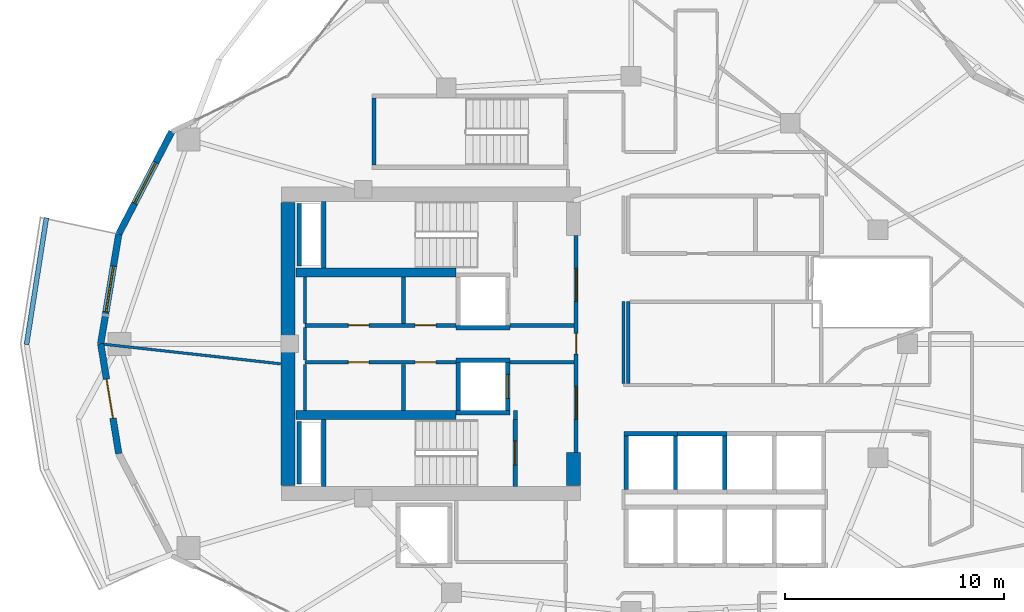
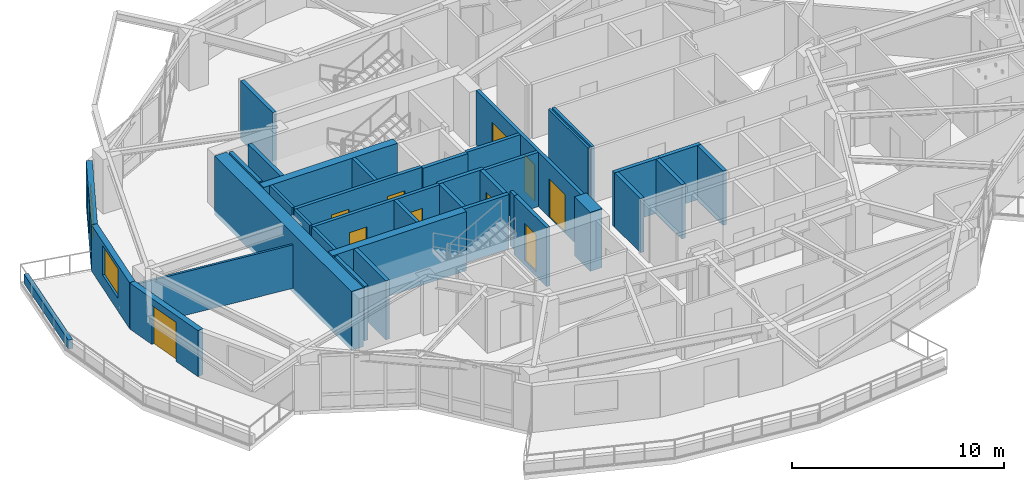
# One storey, part 8 of 18: 38 walls, 10 doors, 2 windows, 12 openings.
"""IFC4 building model written with IfcOpenShell, lengths in metres."""

from ifc_helpers import new_model, si_unit, direction, frame, frame_2d, origin, place, context, subcontext, project, spatial, rectangle, extrude, material, layer, layer_set, type_object, element, fill, save


model = new_model("IFC4")

# Units and contexts
model_context = context("Model", 3, precision=1e-05, world=origin(), true_north=direction((0.0, 1.0)))
body_context = subcontext(model_context, "Body", "Model", "MODEL_VIEW")
ifc_project = project(units=[si_unit("LENGTHUNIT", "METRE"), si_unit("AREAUNIT", "SQUARE_METRE"), si_unit("VOLUMEUNIT", "CUBIC_METRE"), si_unit("PLANEANGLEUNIT", "RADIAN"), si_unit("MASSUNIT", "GRAM", prefix="KILO")], contexts=[model_context])

# Site, building, storey
site_placement = place(None, origin())
site = spatial("IfcSite", under=ifc_project, at=site_placement, CompositionType="ELEMENT")
building_placement = place(site_placement, origin())
building = spatial("IfcBuilding", under=site, at=building_placement, Name="Kolvaren Gate Tower and Convention Centre", CompositionType="ELEMENT")
storey_placement = place(building_placement, frame((0.0, 0.0, 115.5)))
storey = spatial("IfcBuildingStorey", under=building, at=storey_placement, Name="L28", CompositionType="ELEMENT", Elevation=115.5)

# Wall
ifc_material_1 = material(Name="Autoclaved Aerated Masonry Blockwork Class 4 (4.0 MPa)", Category="masonry")
ifc_layer_1 = layer(ifc_material_1, 0.179931640625)
ifc_layer_set_1 = layer_set([ifc_layer_1], Name="Autoclaved Aerated Masonry Blockwork Class 4 (4.0 MPa)")
wall_type_1 = type_object("IfcWallType", Name="ARCH-WL-COMP-180", PredefinedType="SOLIDWALL", material=ifc_layer_set_1)
wall_1_placement = place(storey_placement, frame((24.85009765625, 23.5400390625, 0.0), z_axis=(0.0, 0.0, 1.0), x_axis=(0.0, 1.0, 0.0)))
element("IfcWall", 1, at=wall_1_placement, inside=storey, type_object=wall_type_1, Name="Interior Partition WL-L28-INT-001", PredefinedType="SOLIDWALL", context=body_context, shape_type="SweptSolid", body=[
    extrude(rectangle(XDim=0.419921875, YDim=0.179931640625, at=frame_2d((0.2099609375, 0.0))), origin(), (0.0, 0.0, 1.0), 3.1298828125),
])

# Wall, openings, doors
wall_2_placement = place(storey_placement, frame((27.6201171875, 22.050048828125, 0.0), z_axis=(0.0, 0.0, 1.0), x_axis=(0.0, 1.0, 0.0)))
wall_2 = element("IfcWall", 2, at=wall_2_placement, inside=storey, type_object=wall_type_1, Name="Interior Partition WL-L28-INT-003", PredefinedType="SOLIDWALL", context=body_context, shape_type="SweptSolid", body=[
    extrude(rectangle(XDim=9.89990234375, YDim=0.179931640625, at=frame_2d((4.949951171875, 0.0))), origin(), (0.0, 0.0, 1.0), 3.1298828125),
])
opening_1_placement = place(wall_2_placement, frame((4.47509765625, 0.0, 0.0)))
opening_1 = element("IfcOpeningElement", 3, at=opening_1_placement, cuts=wall_2, Name="Opening DR-01", PredefinedType="OPENING", context=body_context, shape_type="SweptSolid", body=[
    extrude(rectangle(XDim=0.949951171875, YDim=2.10009765625, at=frame_2d((0.47509765625, 1.050048828125))), frame((0.0, 0.099853515625, 0.0), z_axis=(0.0, -1.0, 0.0), x_axis=(1.0, 0.0, 0.0)), (0.0, 0.0, 1.0), 0.199951171875),
])
opening_2_placement = place(wall_2_placement, frame((6.889892578125, 0.0, 0.0)))
opening_2 = element("IfcOpeningElement", 4, at=opening_2_placement, cuts=wall_2, Name="Opening DL-01", PredefinedType="OPENING", context=body_context, shape_type="SweptSolid", body=[
    extrude(rectangle(XDim=1.5, YDim=2.199951171875, at=frame_2d((0.75, 1.10009765625))), frame((0.0, 0.099853515625, 0.0), z_axis=(0.0, -1.0, 0.0), x_axis=(1.0, 0.0, 0.0)), (0.0, 0.0, 1.0), 0.199951171875),
])
opening_3_placement = place(wall_2_placement, frame((1.510009765625, 0.0, 0.0)))
opening_3 = element("IfcOpeningElement", 5, at=opening_3_placement, cuts=wall_2, Name="Opening DL-01", PredefinedType="OPENING", context=body_context, shape_type="SweptSolid", body=[
    extrude(rectangle(XDim=1.5, YDim=2.199951171875, at=frame_2d((0.75, 1.10009765625))), frame((0.0, 0.099853515625, 0.0), z_axis=(0.0, -1.0, 0.0), x_axis=(1.0, 0.0, 0.0)), (0.0, 0.0, 1.0), 0.199951171875),
])
ifc_material_2 = material(Name="Painted Architectural Steelwork ASTM A500 Grade C 345 MPa", Category="steel")
door_type_1 = type_object("IfcDoorType", Name="ARCH-DR-LOBBY-1500", OperationType="DOUBLE_DOOR_SINGLE_SWING", PredefinedType="DOOR", material=ifc_material_2)
door_1_placement = place(opening_2_placement, origin())
door_1 = element("IfcDoor", 6, at=door_1_placement, inside=storey, type_object=door_type_1, Name="North Firefighting Stair and Lift Lobby Door", OperationType="DOUBLE_DOOR_SINGLE_SWING", OverallHeight=2.199951171875, OverallWidth=1.5, PredefinedType="DOOR", context=body_context, shape_type="SweptSolid", body=[
    extrude(rectangle(XDim=1.5, YDim=2.199951171875, at=frame_2d((0.75, 1.10009765625))), frame((0.0, 0.02490234375, 0.0), z_axis=(0.0, -1.0, 0.0), x_axis=(1.0, 0.0, 0.0)), (0.0, 0.0, 1.0), 0.050048828125),
])
fill(opening_2, door_1)
door_2_placement = place(opening_3_placement, origin())
door_2 = element("IfcDoor", 7, at=door_2_placement, inside=storey, type_object=door_type_1, Name="South Firefighting Stair and Lift Lobby Door", OperationType="DOUBLE_DOOR_SINGLE_SWING", OverallHeight=2.199951171875, OverallWidth=1.5, PredefinedType="DOOR", context=body_context, shape_type="SweptSolid", body=[
    extrude(rectangle(XDim=1.5, YDim=2.199951171875, at=frame_2d((0.75, 1.10009765625))), frame((0.0, 0.02490234375, 0.0), z_axis=(0.0, -1.0, 0.0), x_axis=(1.0, 0.0, 0.0)), (0.0, 0.0, 1.0), 0.050048828125),
])
fill(opening_3, door_2)
door_type_2 = type_object("IfcDoorType", Name="ARCH-DR-RISER-950", OperationType="SINGLE_SWING_RIGHT", PredefinedType="DOOR", material=ifc_material_2)
door_3_placement = place(opening_1_placement, origin())
door_3 = element("IfcDoor", 8, at=door_3_placement, inside=storey, type_object=door_type_2, Name="Central MEP Service Corridor Door", OperationType="SINGLE_SWING_RIGHT", OverallHeight=2.10009765625, OverallWidth=0.949951171875, PredefinedType="DOOR", context=body_context, shape_type="SweptSolid", body=[
    extrude(rectangle(XDim=0.949951171875, YDim=2.10009765625, at=frame_2d((0.47509765625, 1.050048828125))), frame((0.0, 0.02490234375, 0.0), z_axis=(0.0, -1.0, 0.0), x_axis=(1.0, 0.0, 0.0)), (0.0, 0.0, 1.0), 0.050048828125),
])
fill(opening_1, door_3)

wall_3_placement = place(storey_placement, frame((15.25, 27.840087890625, 0.0), z_axis=(0.0, 0.0, 1.0), x_axis=(1.0, 0.0, 0.0)))
wall_3 = element("IfcWall", 9, at=wall_3_placement, inside=storey, type_object=wall_type_1, Name="Interior Partition WL-L28-INT-004", PredefinedType="SOLIDWALL", context=body_context, shape_type="SweptSolid", body=[
    extrude(rectangle(XDim=6.89990234375, YDim=0.179931640625, at=frame_2d((3.449951171875, 0.0))), origin(), (0.0, 0.0, 1.0), 3.1298828125),
])
opening_4_placement = place(wall_3_placement, frame((5.02001953125, 0.0, 0.0)))
opening_4 = element("IfcOpeningElement", 10, at=opening_4_placement, cuts=wall_3, Name="Opening DR-01", PredefinedType="OPENING", context=body_context, shape_type="SweptSolid", body=[
    extrude(rectangle(XDim=0.949951171875, YDim=2.10009765625, at=frame_2d((0.47509765625, 1.050048828125))), frame((0.0, 0.099853515625, 0.0), z_axis=(0.0, -1.0, 0.0), x_axis=(1.0, 0.0, 0.0)), (0.0, 0.0, 1.0), 0.199951171875),
])
opening_5_placement = place(wall_3_placement, frame((1.97998046875, 0.0, 0.0)))
opening_5 = element("IfcOpeningElement", 11, at=opening_5_placement, cuts=wall_3, Name="Opening DR-01", PredefinedType="OPENING", context=body_context, shape_type="SweptSolid", body=[
    extrude(rectangle(XDim=0.949951171875, YDim=2.10009765625, at=frame_2d((0.47509765625, 1.050048828125))), frame((0.0, 0.099853515625, 0.0), z_axis=(0.0, -1.0, 0.0), x_axis=(1.0, 0.0, 0.0)), (0.0, 0.0, 1.0), 0.199951171875),
])
door_4_placement = place(opening_4_placement, origin())
door_4 = element("IfcDoor", 12, at=door_4_placement, inside=storey, type_object=door_type_2, Name="Electrical Switchgear Closet Door", OperationType="SINGLE_SWING_LEFT", OverallHeight=2.10009765625, OverallWidth=0.949951171875, PredefinedType="DOOR", context=body_context, shape_type="SweptSolid", body=[
    extrude(rectangle(XDim=0.949951171875, YDim=2.10009765625, at=frame_2d((0.47509765625, 1.050048828125))), frame((0.0, 0.02490234375, 0.0), z_axis=(0.0, -1.0, 0.0), x_axis=(1.0, 0.0, 0.0)), (0.0, 0.0, 1.0), 0.050048828125),
])
fill(opening_4, door_4)
door_5_placement = place(opening_5_placement, origin())
door_5 = element("IfcDoor", 13, at=door_5_placement, inside=storey, type_object=door_type_2, Name="Staff Powder Washroom Door", OperationType="SINGLE_SWING_LEFT", OverallHeight=2.10009765625, OverallWidth=0.949951171875, PredefinedType="DOOR", context=body_context, shape_type="SweptSolid", body=[
    extrude(rectangle(XDim=0.949951171875, YDim=2.10009765625, at=frame_2d((0.47509765625, 1.050048828125))), frame((0.0, 0.02490234375, 0.0), z_axis=(0.0, -1.0, 0.0), x_axis=(1.0, 0.0, 0.0)), (0.0, 0.0, 1.0), 0.050048828125),
])
fill(opening_5, door_5)

# Wall
wall_4_placement = place(storey_placement, frame((24.60009765625, 27.840087890625, 0.0), z_axis=(0.0, 0.0, 1.0), x_axis=(1.0, 0.0, 0.0)))
element("IfcWall", 14, at=wall_4_placement, inside=storey, type_object=wall_type_1, Name="Interior Partition WL-L28-INT-004 (2)", PredefinedType="SOLIDWALL", context=body_context, shape_type="SweptSolid", body=[
    extrude(rectangle(XDim=2.927978515625, YDim=0.179931640625, at=frame_2d((1.4638671875, 0.0))), origin(), (0.0, 0.0, 1.0), 3.1298828125),
])

# Wall, openings, doors
wall_5_placement = place(storey_placement, frame((15.25, 26.159912109375, 0.0), z_axis=(0.0, 0.0, 1.0), x_axis=(1.0, 0.0, 0.0)))
wall_5 = element("IfcWall", 15, at=wall_5_placement, inside=storey, type_object=wall_type_1, Name="Interior Partition WL-L28-INT-005", PredefinedType="SOLIDWALL", context=body_context, shape_type="SweptSolid", body=[
    extrude(rectangle(XDim=6.89990234375, YDim=0.179931640625, at=frame_2d((3.449951171875, 0.0))), origin(), (0.0, 0.0, 1.0), 3.1298828125),
])
opening_6_placement = place(wall_5_placement, frame((5.02001953125, 0.0, 0.0)))
opening_6 = element("IfcOpeningElement", 16, at=opening_6_placement, cuts=wall_5, Name="Opening DR-01", PredefinedType="OPENING", context=body_context, shape_type="SweptSolid", body=[
    extrude(rectangle(XDim=0.949951171875, YDim=2.10009765625, at=frame_2d((0.47509765625, 1.050048828125))), frame((0.0, 0.099853515625, 0.0), z_axis=(0.0, -1.0, 0.0), x_axis=(1.0, 0.0, 0.0)), (0.0, 0.0, 1.0), 0.199951171875),
])
opening_7_placement = place(wall_5_placement, frame((1.97998046875, 0.0, 0.0)))
opening_7 = element("IfcOpeningElement", 17, at=opening_7_placement, cuts=wall_5, Name="Opening DR-01", PredefinedType="OPENING", context=body_context, shape_type="SweptSolid", body=[
    extrude(rectangle(XDim=0.949951171875, YDim=2.10009765625, at=frame_2d((0.47509765625, 1.050048828125))), frame((0.0, 0.099853515625, 0.0), z_axis=(0.0, -1.0, 0.0), x_axis=(1.0, 0.0, 0.0)), (0.0, 0.0, 1.0), 0.199951171875),
])
door_6_placement = place(opening_6_placement, origin())
door_6 = element("IfcDoor", 18, at=door_6_placement, inside=storey, type_object=door_type_2, Name="Domestic Water Meter Closet Door", OperationType="SINGLE_SWING_RIGHT", OverallHeight=2.10009765625, OverallWidth=0.949951171875, PredefinedType="DOOR", context=body_context, shape_type="SweptSolid", body=[
    extrude(rectangle(XDim=0.949951171875, YDim=2.10009765625, at=frame_2d((0.47509765625, 1.050048828125))), frame((0.0, 0.02490234375, 0.0), z_axis=(0.0, -1.0, 0.0), x_axis=(1.0, 0.0, 0.0)), (0.0, 0.0, 1.0), 0.050048828125),
])
fill(opening_6, door_6)
door_7_placement = place(opening_7_placement, origin())
door_7 = element("IfcDoor", 19, at=door_7_placement, inside=storey, type_object=door_type_2, Name="Janitor Equipment Store Door", OperationType="SINGLE_SWING_RIGHT", OverallHeight=2.10009765625, OverallWidth=0.949951171875, PredefinedType="DOOR", context=body_context, shape_type="SweptSolid", body=[
    extrude(rectangle(XDim=0.949951171875, YDim=2.10009765625, at=frame_2d((0.47509765625, 1.050048828125))), frame((0.0, 0.02490234375, 0.0), z_axis=(0.0, -1.0, 0.0), x_axis=(1.0, 0.0, 0.0)), (0.0, 0.0, 1.0), 0.050048828125),
])
fill(opening_7, door_7)

# Walls
wall_6_placement = place(storey_placement, frame((24.60009765625, 26.159912109375, 0.0), z_axis=(0.0, 0.0, 1.0), x_axis=(1.0, 0.0, 0.0)))
element("IfcWall", 20, at=wall_6_placement, inside=storey, type_object=wall_type_1, Name="Interior Partition WL-L28-INT-005 (2)", PredefinedType="SOLIDWALL", context=body_context, shape_type="SweptSolid", body=[
    extrude(rectangle(XDim=2.927978515625, YDim=0.179931640625, at=frame_2d((1.4638671875, 0.0))), origin(), (0.0, 0.0, 1.0), 3.1298828125),
])
for number, where, z_axis, x_axis, name in (
    (21, (19.75, 23.9619140625, 0.0), (0.0, 0.0, 1.0), (0.0, 1.0, 0.0), "Interior Partition WL-L28-INT-007"),
    (22, (19.75, 27.931884765625, 0.0), (0.0, 0.0, 1.0), (0.0, 1.0, 0.0), "Interior Partition WL-L28-INT-008"),
):
    element("IfcWall", number, at=place(storey_placement, frame(where, z_axis=z_axis, x_axis=x_axis)), inside=storey, type_object=wall_type_1, Name=name, PredefinedType="SOLIDWALL", context=body_context, shape_type="SweptSolid", body=[
        extrude(rectangle(XDim=2.106201171875, YDim=0.179931640625, at=frame_2d((1.05322265625, 0.0))), origin(), (0.0, 0.0, 1.0), 3.1298828125),
    ])
ifc_material_3 = material(Name="Fire-Rated Acoustic Gypsum Stud Partition", Category="gypsum")
ifc_layer_2 = layer(ifc_material_3, 0.1201171875)
ifc_layer_set_2 = layer_set([ifc_layer_2], Name="Fire-Rated Acoustic Gypsum Stud Partition")
wall_type_2 = type_object("IfcWallType", Name="ARCH-WL-PART-120", PredefinedType="PARTITIONING", material=ifc_layer_set_2)
wall_7_placement = place(storey_placement, frame((29.780029296875, 25.197021484375, 0.0), z_axis=(0.0, 0.0, 1.0), x_axis=(0.0, 1.0, 0.0)))
element("IfcWall", 23, at=wall_7_placement, inside=storey, type_object=wall_type_2, Name="Interior Partition WL-L28-INT-031", PredefinedType="PARTITIONING", context=body_context, shape_type="SweptSolid", body=[
    extrude(rectangle(XDim=3.722900390625, YDim=0.1201171875, at=frame_2d((1.861328125, 0.0))), origin(), (0.0, 0.0, 1.0), 3.1298828125),
])
wall_8_placement = place(storey_placement, frame((6.0947265625, 26.980712890625, 0.0), z_axis=(0.0, 0.0, 1.0), x_axis=(0.993917127708, -0.11013057363, 0.0)))
element("IfcWall", 24, at=wall_8_placement, inside=storey, type_object=wall_type_2, Name="Interior Partition WL-L28-INT-050", PredefinedType="PARTITIONING", context=body_context, shape_type="SweptSolid", body=[
    extrude(rectangle(XDim=8.1025390625, YDim=0.1201171875, at=frame_2d((4.05126953125, 0.0))), origin(), (0.0, 0.0, 1.0), 2.5048828125),
])
ifc_material_4 = material(Name="Piedmont Cream Honed Limestone Cladding", Category="masonry")
ifc_layer_3 = layer(ifc_material_4, 0.219970703125)
ifc_layer_set_3 = layer_set([ifc_layer_3], Name="Piedmont Cream Honed Limestone Cladding")
wall_type_3 = type_object("IfcWallType", Name="ARCH-WL-PLANTER-220", PredefinedType="PARAPET", material=ifc_layer_set_3)
wall_9_placement = place(storey_placement, frame((2.555908203125, 26.970703125, 0.0), z_axis=(0.0, 0.0, 1.0), x_axis=(0.154903030247, 0.987929679289, 0.0)))
element("IfcWall", 25, at=wall_9_placement, inside=storey, type_object=wall_type_3, Name="Vertical-Forest Balcony Stone Planter Kerb PK-L28-2.1", PredefinedType="PARAPET", context=body_context, shape_type="SweptSolid", body=[
    extrude(rectangle(XDim=5.845703125, YDim=0.219970703125, at=frame_2d((2.9228515625, 0.0))), origin(), (0.0, 0.0, 1.0), 0.52001953125),
])
ifc_layer_4 = layer(ifc_material_1, 0.199951171875)
ifc_layer_set_4 = layer_set([ifc_layer_4], Name="Autoclaved Aerated Masonry Blockwork Class 4 (4.0 MPa)")
wall_type_4 = type_object("IfcWallType", Name="ARCH-WL-SHAFT-200", PredefinedType="SOLIDWALL", material=ifc_layer_set_4)
for number, where, z_axis, x_axis, name in (
    (26, (22.14990234375, 27.739990234375, 0.0), (0.0, 0.0, 1.0), (1.0, 0.0, 0.0), "Elevator FF-01 L28 Fire Shaft Wall S"),
    (27, (22.14990234375, 26.260009765625, 0.0), (0.0, 0.0, 1.0), (1.0, 0.0, 0.0), "Elevator FF-02 L28 Fire Shaft Wall N"),
    (28, (22.14990234375, 23.860107421875, 0.0), (0.0, 0.0, 1.0), (1.0, 0.0, 0.0), "Elevator FF-02 L28 Fire Shaft Wall S"),
):
    element("IfcWall", number, at=place(storey_placement, frame(where, z_axis=z_axis, x_axis=x_axis)), inside=storey, type_object=wall_type_4, Name=name, PredefinedType="SOLIDWALL", context=body_context, shape_type="SweptSolid", body=[
        extrude(rectangle(XDim=2.4501953125, YDim=0.199951171875, at=frame_2d((1.22509765625, 0.0))), origin(), (0.0, 0.0, 1.0), 3.1298828125),
    ])
wall_10_placement = place(storey_placement, frame((22.25, 23.969970703125, 0.0), z_axis=(0.0, 0.0, 1.0), x_axis=(0.0, 1.0, 0.0)))
element("IfcWall", 29, at=wall_10_placement, inside=storey, type_object=wall_type_4, Name="Elevator FF-02 L28 Fire Shaft Wall W", PredefinedType="SOLIDWALL", context=body_context, shape_type="SweptSolid", body=[
    extrude(rectangle(XDim=2.179931640625, YDim=0.199951171875, at=frame_2d((1.08984375, 0.0))), origin(), (0.0, 0.0, 1.0), 3.1298828125),
])

# Wall, opening, door
wall_11_placement = place(storey_placement, frame((24.5, 23.969970703125, 0.0), z_axis=(0.0, 0.0, 1.0), x_axis=(0.0, 1.0, 0.0)))
wall_11 = element("IfcWall", 30, at=wall_11_placement, inside=storey, type_object=wall_type_4, Name="Elevator FF-02 L28 Fire Shaft Wall E", PredefinedType="SOLIDWALL", context=body_context, shape_type="SweptSolid", body=[
    extrude(rectangle(XDim=2.179931640625, YDim=0.199951171875, at=frame_2d((1.08984375, 0.0))), origin(), (0.0, 0.0, 1.0), 3.1298828125),
])
opening_8_placement = place(wall_11_placement, frame((0.5400390625, 0.0, 0.0)))
opening_8 = element("IfcOpeningElement", 31, at=opening_8_placement, cuts=wall_11, Name="Opening LD", PredefinedType="OPENING", context=body_context, shape_type="SweptSolid", body=[
    extrude(rectangle(XDim=1.10009765625, YDim=2.199951171875, at=frame_2d((0.550048828125, 1.10009765625))), frame((0.0, 0.10986328125, 0.0), z_axis=(0.0, -1.0, 0.0), x_axis=(1.0, 0.0, 0.0)), (0.0, 0.0, 1.0), 0.219970703125),
])
ifc_material_5 = material(Name="Brushed Stainless Steel Grade 316L", Category="steel")
door_type_3 = type_object("IfcDoorType", Name="ARCH-DR-LIFT-1100", OperationType="SLIDING_TO_LEFT", PredefinedType="DOOR", material=ifc_material_5)
door_8_placement = place(opening_8_placement, origin())
door_8 = element("IfcDoor", 32, at=door_8_placement, inside=storey, type_object=door_type_3, Name="Elevator FF-02 L28 Sliding Landing Door", OperationType="SLIDING_TO_LEFT", OverallHeight=2.199951171875, OverallWidth=1.10009765625, PredefinedType="DOOR", context=body_context, shape_type="SweptSolid", body=[
    extrude(rectangle(XDim=1.10009765625, YDim=2.199951171875, at=frame_2d((0.550048828125, 1.10009765625))), frame((0.0, 0.02490234375, 0.0), z_axis=(0.0, -1.0, 0.0), x_axis=(1.0, 0.0, 0.0)), (0.0, 0.0, 1.0), 0.050048828125),
])
fill(opening_8, door_8)

# Walls
wall_12_placement = place(storey_placement, frame((29.800048828125, 22.89990234375, 0.0), z_axis=(0.0, 0.0, 1.0), x_axis=(1.0, 0.0, 0.0)))
element("IfcWall", 33, at=wall_12_placement, inside=storey, type_object=wall_type_4, Name="Elevator PL-09 L28 Fire Shaft Wall N", PredefinedType="SOLIDWALL", context=body_context, shape_type="SweptSolid", body=[
    extrude(rectangle(XDim=2.449951171875, YDim=0.199951171875, at=frame_2d((1.22509765625, 0.0))), origin(), (0.0, 0.0, 1.0), 3.1298828125),
])
for number, where, z_axis, x_axis, name in (
    (34, (29.89990234375, 20.360107421875, 0.0), (0.0, 0.0, 1.0), (0.0, 1.0, 0.0), "Elevator PL-09 L28 Fire Shaft Wall W"),
    (35, (32.14990234375, 20.360107421875, 0.0), (0.0, 0.0, 1.0), (0.0, 1.0, 0.0), "Elevator PL-09 L28 Fire Shaft Wall E"),
):
    element("IfcWall", number, at=place(storey_placement, frame(where, z_axis=z_axis, x_axis=x_axis)), inside=storey, type_object=wall_type_4, Name=name, PredefinedType="SOLIDWALL", context=body_context, shape_type="SweptSolid", body=[
        extrude(rectangle(XDim=2.429931640625, YDim=0.199951171875, at=frame_2d((1.21484375, 0.0))), origin(), (0.0, 0.0, 1.0), 3.1298828125),
    ])
wall_13_placement = place(storey_placement, frame((32.25, 22.89990234375, 0.0), z_axis=(0.0, 0.0, 1.0), x_axis=(1.0, 0.0, 0.0)))
element("IfcWall", 36, at=wall_13_placement, inside=storey, type_object=wall_type_4, Name="Elevator PL-10 L28 Fire Shaft Wall N", PredefinedType="SOLIDWALL", context=body_context, shape_type="SweptSolid", body=[
    extrude(rectangle(XDim=2.25, YDim=0.199951171875, at=frame_2d((1.125, 0.0))), origin(), (0.0, 0.0, 1.0), 3.1298828125),
])
wall_14_placement = place(storey_placement, frame((34.39990234375, 20.360107421875, 0.0), z_axis=(0.0, 0.0, 1.0), x_axis=(0.0, 1.0, 0.0)))
element("IfcWall", 37, at=wall_14_placement, inside=storey, type_object=wall_type_4, Name="Elevator PL-10 L28 Fire Shaft Wall E", PredefinedType="SOLIDWALL", context=body_context, shape_type="SweptSolid", body=[
    extrude(rectangle(XDim=2.429931640625, YDim=0.199951171875, at=frame_2d((1.21484375, 0.0))), origin(), (0.0, 0.0, 1.0), 3.1298828125),
])
for number, where, z_axis, x_axis, name in (
    (38, (14.989990234375, 30.550048828125, 0.0), (0.0, 0.0, 1.0), (0.0, 1.0, 0.0), "Vertical Shaft HVR L28 EI-120 Enclosure Wall W"),
    (39, (14.989990234375, 20.60009765625, 0.0), (0.0, 0.0, 1.0), (0.0, 1.0, 0.0), "Vertical Shaft MPR L28 EI-120 Enclosure Wall W"),
):
    element("IfcWall", number, at=place(storey_placement, frame(where, z_axis=z_axis, x_axis=x_axis)), inside=storey, type_object=wall_type_4, Name=name, PredefinedType="SOLIDWALL", context=body_context, shape_type="SweptSolid", body=[
        extrude(rectangle(XDim=2.849853515625, YDim=0.199951171875, at=frame_2d((1.4248046875, 0.0))), origin(), (0.0, 0.0, 1.0), 3.1298828125),
    ])

# Wall, opening, window
ifc_layer_5 = layer(ifc_material_4, 0.300048828125)
ifc_layer_set_5 = layer_set([ifc_layer_5], Name="Piedmont Cream Honed Limestone Cladding")
wall_type_5 = type_object("IfcWallType", Name="ARCH-WL-STONE-300", PredefinedType="SOLIDWALL", material=ifc_layer_set_5)
wall_15_placement = place(storey_placement, frame((6.76171875, 32.008056640625, 0.0), z_axis=(0.0, 0.0, 1.0), x_axis=(0.459767899643, 0.888039119892, 0.0)))
wall_15 = element("IfcWall", 40, at=wall_15_placement, inside=storey, type_object=wall_type_5, Name="Tower L28 Honed Stone Spandrel Wall EW-10", PredefinedType="SOLIDWALL", context=body_context, shape_type="SweptSolid", body=[
    extrude(rectangle(XDim=5.25537109375, YDim=0.300048828125, at=frame_2d((2.627685546875, 0.0))), origin(), (0.0, 0.0, 1.0), 2.653076171875),
])
opening_9_placement = place(wall_15_placement, frame((1.577880859375, 0.0, 0.739990234375)))
opening_9 = element("IfcOpeningElement", 41, at=opening_9_placement, cuts=wall_15, Name="Opening W-02", PredefinedType="OPENING", context=body_context, shape_type="SweptSolid", body=[
    extrude(rectangle(XDim=2.10009765625, YDim=1.699951171875, at=frame_2d((1.050048828125, 0.85009765625))), frame((0.0, 0.159912109375, 0.0), z_axis=(0.0, -1.0, 0.0), x_axis=(1.0, 0.0, 0.0)), (0.0, 0.0, 1.0), 0.320068359375),
])
ifc_material_6 = material(Name="Low-E Triple Insulated Glazing Unit 44 mm", Category="glass")
window_type = type_object("IfcWindowType", Name="ARCH-WN-HTL-2100", PartitioningType="SINGLE_PANEL", PredefinedType="WINDOW", material=ifc_material_6)
window_1_placement = place(opening_9_placement, origin())
window_1 = element("IfcWindow", 42, at=window_1_placement, inside=storey, type_object=window_type, Name="Tower L28 Punched Stone Facade Window W-10", OverallHeight=1.699951171875, OverallWidth=2.10009765625, PartitioningType="SINGLE_PANEL", PredefinedType="WINDOW", context=body_context, shape_type="SweptSolid", body=[
    extrude(rectangle(XDim=2.10009765625, YDim=1.699951171875, at=frame_2d((1.050048828125, 0.85009765625))), frame((0.0, 0.030029296875, 0.0), z_axis=(0.0, -1.0, 0.0), x_axis=(1.0, 0.0, 0.0)), (0.0, 0.0, 1.0), 0.06005859375),
])
fill(opening_9, window_1)

wall_16_placement = place(storey_placement, frame((5.9375, 27.0, 0.0), z_axis=(0.0, 0.0, 1.0), x_axis=(0.162393944769, 0.986726003864, 0.0)))
wall_16 = element("IfcWall", 43, at=wall_16_placement, inside=storey, type_object=wall_type_5, Name="Tower L28 Honed Stone Spandrel Wall EW-11", PredefinedType="SOLIDWALL", context=body_context, shape_type="SweptSolid", body=[
    extrude(rectangle(XDim=5.075439453125, YDim=0.300048828125, at=frame_2d((2.53759765625, 0.0))), origin(), (0.0, 0.0, 1.0), 2.653076171875),
])
opening_10_placement = place(wall_16_placement, frame((1.488037109375, 0.0, 0.739990234375)))
opening_10 = element("IfcOpeningElement", 44, at=opening_10_placement, cuts=wall_16, Name="Opening W-02", PredefinedType="OPENING", context=body_context, shape_type="SweptSolid", body=[
    extrude(rectangle(XDim=2.10009765625, YDim=1.699951171875, at=frame_2d((1.050048828125, 0.85009765625))), frame((0.0, 0.159912109375, 0.0), z_axis=(0.0, -1.0, 0.0), x_axis=(1.0, 0.0, 0.0)), (0.0, 0.0, 1.0), 0.320068359375),
])
window_2_placement = place(opening_10_placement, origin())
window_2 = element("IfcWindow", 45, at=window_2_placement, inside=storey, type_object=window_type, Name="Tower L28 Punched Stone Facade Window W-11", OverallHeight=1.699951171875, OverallWidth=2.10009765625, PartitioningType="SINGLE_PANEL", PredefinedType="WINDOW", context=body_context, shape_type="SweptSolid", body=[
    extrude(rectangle(XDim=2.10009765625, YDim=1.699951171875, at=frame_2d((1.050048828125, 0.85009765625))), frame((0.0, 0.030029296875, 0.0), z_axis=(0.0, -1.0, 0.0), x_axis=(1.0, 0.0, 0.0)), (0.0, 0.0, 1.0), 0.06005859375),
])
fill(opening_10, window_2)

# Wall, opening, door
wall_17_placement = place(storey_placement, frame((5.9375, 27.0, 0.0), z_axis=(0.0, 0.0, 1.0), x_axis=(0.162393944769, -0.986726003864, 0.0)))
wall_17 = element("IfcWall", 46, at=wall_17_placement, inside=storey, type_object=wall_type_5, Name="Tower L28 Honed Stone Spandrel Wall EW-12", PredefinedType="SOLIDWALL", context=body_context, shape_type="SweptSolid", body=[
    extrude(rectangle(XDim=5.075439453125, YDim=0.300048828125, at=frame_2d((2.53759765625, 0.0))), origin(), (0.0, 0.0, 1.0), 2.653076171875),
])
opening_11_placement = place(wall_17_placement, frame((1.637939453125, 0.0, 0.0)))
opening_11 = element("IfcOpeningElement", 47, at=opening_11_placement, cuts=wall_17, Name="Opening DB-01", PredefinedType="OPENING", context=body_context, shape_type="SweptSolid", body=[
    extrude(rectangle(XDim=1.800048828125, YDim=2.25, at=frame_2d((0.89990234375, 1.125))), frame((0.0, 0.159912109375, 0.0), z_axis=(0.0, -1.0, 0.0), x_axis=(1.0, 0.0, 0.0)), (0.0, 0.0, 1.0), 0.320068359375),
])
ifc_material_7 = material(Name="Anodized Architectural Aluminium Alloy 6063-T6", Category="aluminium")
door_type_4 = type_object("IfcDoorType", Name="ARCH-DR-BALC-1800", OperationType="SLIDING_TO_LEFT", PredefinedType="DOOR", material=ifc_material_7)
door_9_placement = place(opening_11_placement, frame((1.800048828125, 0.0, 0.0), z_axis=(0.0, 0.0, 1.0), x_axis=(-1.0, 0.0, 0.0)))
door_9 = element("IfcDoor", 48, at=door_9_placement, inside=storey, type_object=door_type_4, Name="Planted Sky Terrace Access Door DB-L28-12", OperationType="SLIDING_TO_LEFT", OverallHeight=2.25, OverallWidth=1.800048828125, PredefinedType="DOOR", context=body_context, shape_type="SweptSolid", body=[
    extrude(rectangle(XDim=1.800048828125, YDim=2.25, at=frame_2d((0.89990234375, 1.125))), frame((0.0, 0.02490234375, 0.0), z_axis=(0.0, -1.0, 0.0), x_axis=(1.0, 0.0, 0.0)), (0.0, 0.0, 1.0), 0.050048828125),
])
fill(opening_11, door_9)

# Walls
ifc_material_8 = material(Name="Moisture-Resistant Cement-Board Acoustic Partition", Category="gypsum")
ifc_layer_6 = layer(ifc_material_8, 0.14990234375)
ifc_layer_set_6 = layer_set([ifc_layer_6], Name="Moisture-Resistant Cement-Board Acoustic Partition")
wall_type_6 = type_object("IfcWallType", Name="ARCH-WL-WET-150", PredefinedType="PARTITIONING", material=ifc_layer_set_6)
wall_18_placement = place(storey_placement, frame((15.25, 23.9619140625, 0.0), z_axis=(0.0, 0.0, 1.0), x_axis=(0.0, 1.0, 0.0)))
element("IfcWall", 49, at=wall_18_placement, inside=storey, type_object=wall_type_6, Name="Interior Partition WL-L28-INT-006", PredefinedType="PARTITIONING", context=body_context, shape_type="SweptSolid", body=[
    extrude(rectangle(XDim=2.106201171875, YDim=0.14990234375, at=frame_2d((1.05322265625, 0.0))), origin(), (0.0, 0.0, 1.0), 3.1298828125),
])
wall_19_placement = place(storey_placement, frame((15.25, 26.251953125, 0.0), z_axis=(0.0, 0.0, 1.0), x_axis=(0.0, 1.0, 0.0)))
element("IfcWall", 50, at=wall_19_placement, inside=storey, type_object=wall_type_6, Name="Interior Partition WL-L28-INT-006 (2)", PredefinedType="PARTITIONING", context=body_context, shape_type="SweptSolid", body=[
    extrude(rectangle(XDim=1.49609375, YDim=0.14990234375, at=frame_2d((0.748046875, 0.0))), origin(), (0.0, 0.0, 1.0), 3.1298828125),
])
wall_20_placement = place(storey_placement, frame((15.25, 27.931884765625, 0.0), z_axis=(0.0, 0.0, 1.0), x_axis=(0.0, 1.0, 0.0)))
element("IfcWall", 51, at=wall_20_placement, inside=storey, type_object=wall_type_6, Name="Interior Partition WL-L28-INT-006 (3)", PredefinedType="PARTITIONING", context=body_context, shape_type="SweptSolid", body=[
    extrude(rectangle(XDim=2.106201171875, YDim=0.14990234375, at=frame_2d((1.05322265625, 0.0))), origin(), (0.0, 0.0, 1.0), 3.1298828125),
])
wall_21_placement = place(storey_placement, frame((30.0, 25.197021484375, 0.0), z_axis=(0.0, 0.0, 1.0), x_axis=(0.0, 1.0, 0.0)))
element("IfcWall", 52, at=wall_21_placement, inside=storey, type_object=wall_type_6, Name="Interior Partition WL-L28-INT-013", PredefinedType="PARTITIONING", context=body_context, shape_type="SweptSolid", body=[
    extrude(rectangle(XDim=3.722900390625, YDim=0.14990234375, at=frame_2d((1.861328125, 0.0))), origin(), (0.0, 0.0, 1.0), 3.1298828125),
])
ifc_material_9 = material(Name="Concrete C50/60", Category="concrete")
ifc_layer_7 = layer(ifc_material_9, 0.419921875)
ifc_layer_set_7 = layer_set([ifc_layer_7], Name="Concrete C50/60")
wall_type_7 = type_object("IfcWallType", Name="STR-WL-CONV-420", PredefinedType="SHEAR", material=ifc_layer_set_7)
for number, where, z_axis, x_axis, name in (
    (53, (14.85009765625, 30.25, -0.27001953125), (0.0, 0.0, 1.0), (1.0, 0.0, 0.0), "Tower L28 Offset Core Shear Wall WN"),
    (54, (14.85009765625, 23.75, -0.27001953125), (0.0, 0.0, 1.0), (1.0, 0.0, 0.0), "Tower L28 Offset Core Shear Wall WS"),
):
    element("IfcWall", number, at=place(storey_placement, frame(where, z_axis=z_axis, x_axis=x_axis)), inside=storey, type_object=wall_type_7, Name=name, PredefinedType="SHEAR", context=body_context, shape_type="SweptSolid", body=[
        extrude(rectangle(XDim=7.2998046875, YDim=0.419921875, at=frame_2d((3.64990234375, 0.0))), origin(), (0.0, 0.0, 1.0), 3.39990234375),
    ])
ifc_material_10 = material(Name="Concrete C60/75", Category="concrete")
ifc_layer_8 = layer(ifc_material_10, 0.64990234375)
ifc_layer_set_8 = layer_set([ifc_layer_8], Name="Concrete C60/75")
wall_type_8 = type_object("IfcWallType", Name="STR-WL-CORE-650", PredefinedType="SHEAR", material=ifc_layer_set_8)
wall_22_placement = place(storey_placement, frame((14.47509765625, 20.550048828125, -0.27001953125), z_axis=(0.0, 0.0, 1.0), x_axis=(0.0, 1.0, 0.0)))
element("IfcWall", 55, at=wall_22_placement, inside=storey, type_object=wall_type_8, Name="Tower L28 Offset Core Shear Wall W", PredefinedType="SHEAR", context=body_context, shape_type="SweptSolid", body=[
    extrude(rectangle(XDim=12.89990234375, YDim=0.64990234375, at=frame_2d((6.449951171875, 0.0))), origin(), (0.0, 0.0, 1.0), 3.39990234375),
])
wall_23_placement = place(storey_placement, frame((27.5, 20.550048828125, -0.27001953125), z_axis=(0.0, 0.0, 1.0), x_axis=(0.0, 1.0, 0.0)))
element("IfcWall", 56, at=wall_23_placement, inside=storey, type_object=wall_type_8, Name="Tower L28 Offset Core Shear Wall ES", PredefinedType="SHEAR", context=body_context, shape_type="SweptSolid", body=[
    extrude(rectangle(XDim=1.5, YDim=0.64990234375, at=frame_2d((0.75, 0.0))), origin(), (0.0, 0.0, 1.0), 3.39990234375),
])
ifc_layer_9 = layer(ifc_material_9, 0.199951171875)
ifc_layer_set_9 = layer_set([ifc_layer_9], Name="Concrete C50/60")
wall_type_9 = type_object("IfcWallType", Name="STR-WL-SHAFT-200", PredefinedType="SHEAR", material=ifc_layer_set_9)
wall_24_placement = place(storey_placement, frame((16.10009765625, 30.4619140625, -0.27001953125), z_axis=(0.0, 0.0, 1.0), x_axis=(0.0, 1.0, 0.0)))
element("IfcWall", 57, at=wall_24_placement, inside=storey, type_object=wall_type_9, Name="Tower North Exit Stair ST-T1 L28 Structural Shear Enclosure Wall FAR", PredefinedType="SHEAR", context=body_context, shape_type="SweptSolid", body=[
    extrude(rectangle(XDim=3.0361328125, YDim=0.199951171875, at=frame_2d((1.51806640625, 0.0))), origin(), (0.0, 0.0, 1.0), 3.39990234375),
])

# Wall, opening, door
wall_25_placement = place(storey_placement, frame((24.85009765625, 20.501953125, -0.27001953125), z_axis=(0.0, 0.0, 1.0), x_axis=(0.0, 1.0, 0.0)))
wall_25 = element("IfcWall", 58, at=wall_25_placement, inside=storey, type_object=wall_type_9, Name="Tower South Exit Stair ST-T2 L28 Structural Shear Enclosure Wall NEAR", PredefinedType="SHEAR", context=body_context, shape_type="SweptSolid", body=[
    extrude(rectangle(XDim=3.0380859375, YDim=0.199951171875, at=frame_2d((1.51904296875, 0.0))), origin(), (0.0, 0.0, 1.0), 3.39990234375),
])
opening_12_placement = place(wall_25_placement, frame((0.968994140625, 0.0, 0.27001953125)))
opening_12 = element("IfcOpeningElement", 59, at=opening_12_placement, cuts=wall_25, Name="Opening DS-01", PredefinedType="OPENING", context=body_context, shape_type="SweptSolid", body=[
    extrude(rectangle(XDim=1.10009765625, YDim=2.14990234375, at=frame_2d((0.550048828125, 1.074951171875))), frame((0.0, 0.10986328125, 0.0), z_axis=(0.0, -1.0, 0.0), x_axis=(1.0, 0.0, 0.0)), (0.0, 0.0, 1.0), 0.219970703125),
])
door_type_5 = type_object("IfcDoorType", Name="ARCH-DR-STAIR-1100", OperationType="SINGLE_SWING_LEFT", PredefinedType="DOOR", material=ifc_material_2)
door_10_placement = place(opening_12_placement, origin())
door_10 = element("IfcDoor", 60, at=door_10_placement, inside=storey, type_object=door_type_5, Name="Tower South Exit Stair ST-T2 L28 Fire Exit Stair Door", OperationType="SINGLE_SWING_RIGHT", OverallHeight=2.14990234375, OverallWidth=1.10009765625, PredefinedType="DOOR", context=body_context, shape_type="SweptSolid", body=[
    extrude(rectangle(XDim=1.10009765625, YDim=2.14990234375, at=frame_2d((0.550048828125, 1.074951171875))), frame((0.0, 0.02490234375, 0.0), z_axis=(0.0, -1.0, 0.0), x_axis=(1.0, 0.0, 0.0)), (0.0, 0.0, 1.0), 0.050048828125),
])
fill(opening_12, door_10)

# Walls
wall_26_placement = place(storey_placement, frame((16.10009765625, 20.501953125, -0.27001953125), z_axis=(0.0, 0.0, 1.0), x_axis=(0.0, 1.0, 0.0)))
element("IfcWall", 61, at=wall_26_placement, inside=storey, type_object=wall_type_9, Name="Tower South Exit Stair ST-T2 L28 Structural Shear Enclosure Wall FAR", PredefinedType="SHEAR", context=body_context, shape_type="SweptSolid", body=[
    extrude(rectangle(XDim=3.0361328125, YDim=0.199951171875, at=frame_2d((1.51806640625, 0.0))), origin(), (0.0, 0.0, 1.0), 3.39990234375),
])
wall_27_placement = place(storey_placement, frame((18.39990234375, 35.159912109375, -0.27001953125), z_axis=(0.0, 0.0, 1.0), x_axis=(0.0, 1.0, 0.0)))
element("IfcWall", 62, at=wall_27_placement, inside=storey, type_object=wall_type_9, Name="Tower Mid-Zone Exit Stair ST-T3 L28 Structural Shear Enclosure Wall FAR", PredefinedType="SHEAR", context=body_context, shape_type="SweptSolid", body=[
    extrude(rectangle(XDim=3.0400390625, YDim=0.199951171875, at=frame_2d((1.52001953125, 0.0))), origin(), (0.0, 0.0, 1.0), 3.39990234375),
])

save(model, "model.ifc")
